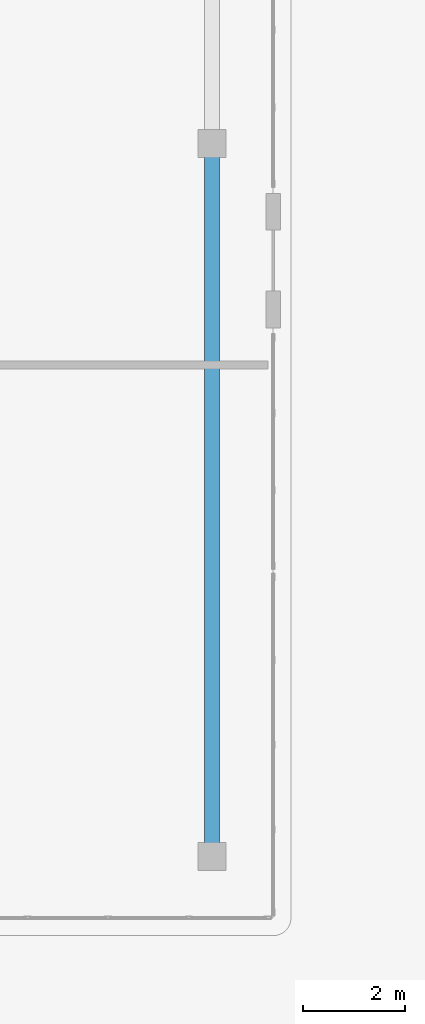
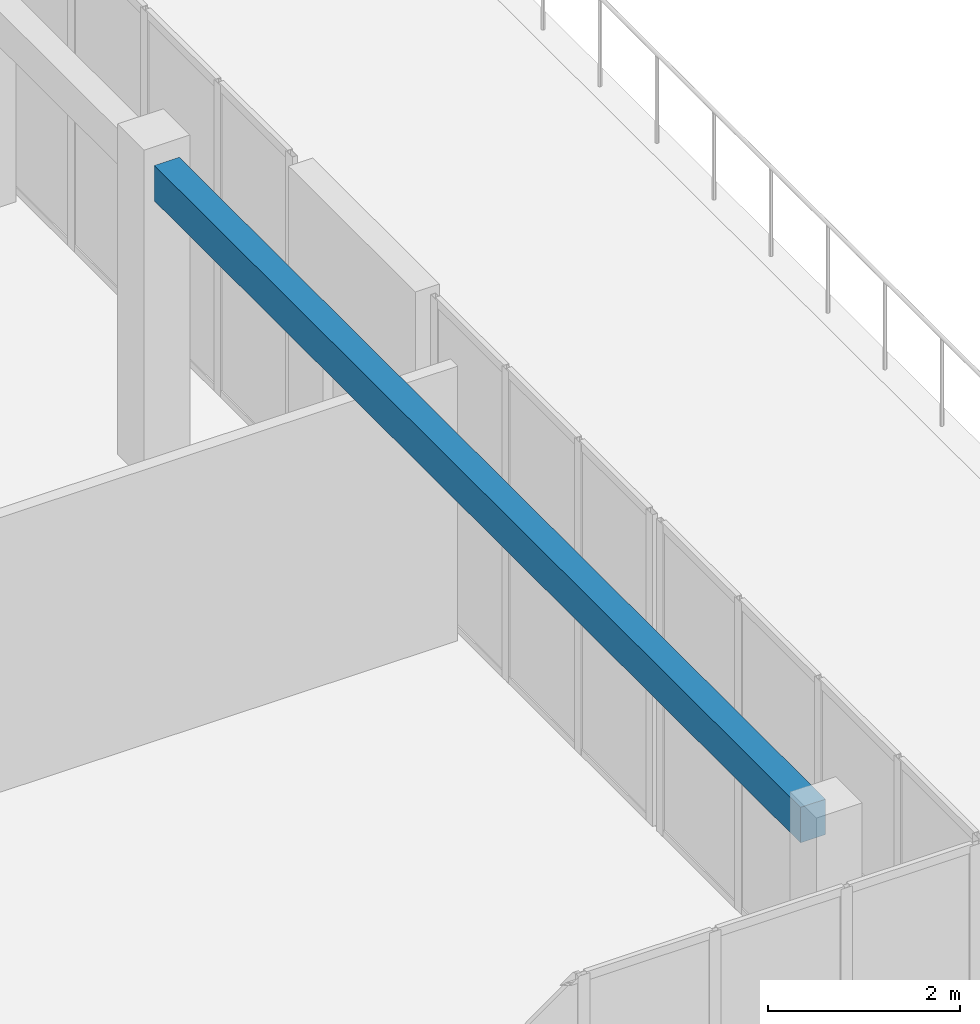
# One storey, part 31 of 90: 1 beam.
"""IFC4 building model written with IfcOpenShell, lengths in metres."""

from ifc_helpers import new_model, si_unit, direction, frame, origin, origin_2d, place, context, subcontext, project, spatial, rectangle, extrude, material, material_profile, profile_set, type_object, element, save


model = new_model("IFC4")

# Units and contexts
model_context = context("Model", 3, precision=1e-05, world=origin(), true_north=direction((0.0, 1.0)))
body_context = subcontext(model_context, "Body", "Model", "MODEL_VIEW")
ifc_project = project(units=[si_unit("LENGTHUNIT", "METRE"), si_unit("AREAUNIT", "SQUARE_METRE"), si_unit("VOLUMEUNIT", "CUBIC_METRE"), si_unit("PLANEANGLEUNIT", "RADIAN"), si_unit("MASSUNIT", "GRAM", prefix="KILO")], contexts=[model_context])

# Site, building, storey
site_placement = place(None, origin())
site = spatial("IfcSite", under=ifc_project, at=site_placement, CompositionType="ELEMENT")
building_placement = place(site_placement, origin())
building = spatial("IfcBuilding", under=site, at=building_placement, Name="Trelvath General Hospital", CompositionType="ELEMENT")
storey_placement = place(building_placement, frame((0.0, 0.0, 20.39990234375)))
storey = spatial("IfcBuildingStorey", under=building, at=storey_placement, Name="L05", CompositionType="ELEMENT", Elevation=20.39990234375)

# Beam
ifc_material = material(Name="Concrete C35/45", Category="concrete")
ifc_material_profile = material_profile(ifc_material, rectangle(XDim=0.300048828125, YDim=0.449951171875, at=origin_2d()), Name="RCB300x450")
ifc_profile_set = profile_set([ifc_material_profile], Name="Concrete C35/45")
beam_type = type_object("IfcBeamType", Name="Beam RC300x450", PredefinedType="BEAM", material=ifc_profile_set)
beam_placement = place(storey_placement, frame((107.199951171875, 45.071044921875, 3.735107421875), z_axis=(0.0, 1.0, 0.0), x_axis=(-1.0, 0.0, 0.0)))
element("IfcBeam", 1, at=beam_placement, inside=storey, type_object=beam_type, Name="Cube Interior Ring Beam CUBE-E-T2 L05", PredefinedType="BEAM", context=body_context, shape_type="SweptSolid", body=[
    extrude(rectangle(XDim=0.300048828125, YDim=0.449951171875, at=origin_2d()), origin(), (0.0, 0.0, 1.0), 13.4580078125),
])

save(model, "model.ifc")
